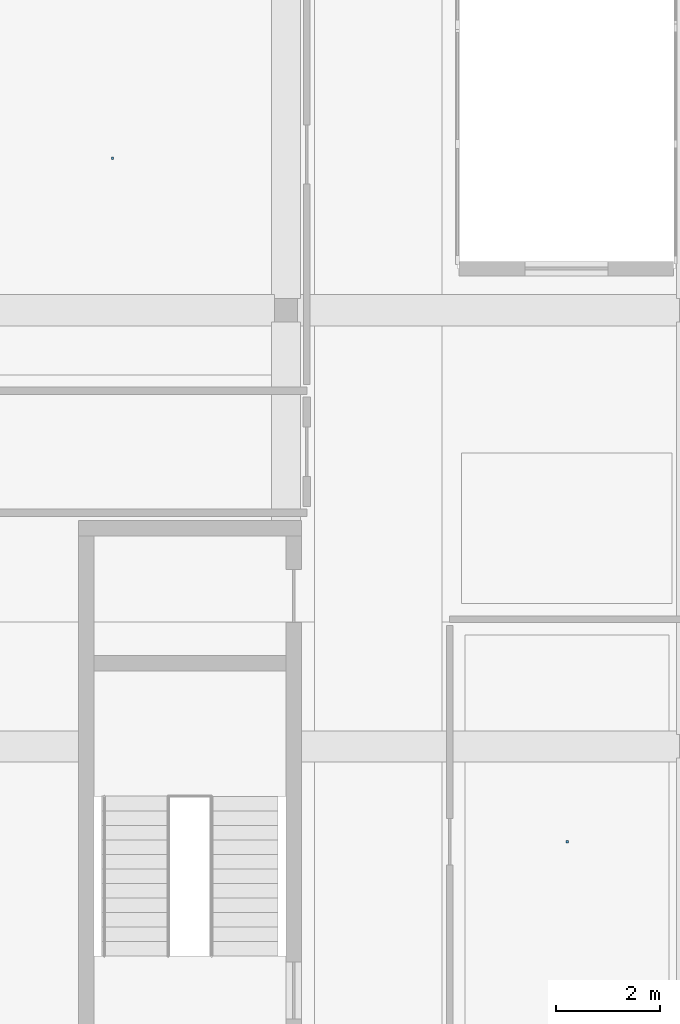
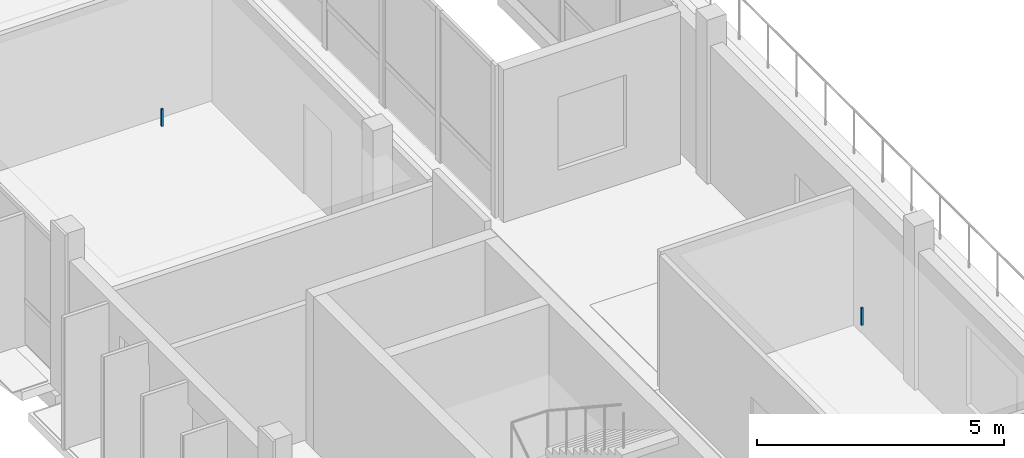
# One storey, part 32 of 48: 2 discrete accessories.
"""IFC4 building model written with IfcOpenShell, lengths in metres."""

from ifc_helpers import new_model, si_unit, derived_unit, direction, frame, origin, origin_2d, place, context, subcontext, project, spatial, rectangle, extrude, material, type_object, element, save


model = new_model("IFC4")

# Units and contexts
model_context = context("Model", 3, precision=1e-05, world=origin(), true_north=direction((0.0, 1.0)))
body_context = subcontext(model_context, "Body", "Model", "MODEL_VIEW")
ifc_project = project(units=[si_unit("LENGTHUNIT", "METRE"), si_unit("AREAUNIT", "SQUARE_METRE"), si_unit("VOLUMEUNIT", "CUBIC_METRE"), si_unit("PLANEANGLEUNIT", "RADIAN"), si_unit("MASSUNIT", "GRAM", prefix="KILO"), derived_unit("THERMALTRANSMITTANCEUNIT", [(si_unit("POWERUNIT", "WATT"), 1), (si_unit("LENGTHUNIT", "METRE"), -2), (si_unit("THERMODYNAMICTEMPERATUREUNIT", "KELVIN"), -1)])], contexts=[model_context])

# Site, building, storey
site_placement = place(None, origin())
site = spatial("IfcSite", under=ifc_project, at=site_placement, CompositionType="ELEMENT")
building_placement = place(site_placement, origin())
building = spatial("IfcBuilding", under=site, at=building_placement, Name="Braskholm Square Health Centre", CompositionType="ELEMENT")
storey_placement = place(building_placement, frame((0.0, 0.0, 17.550048828125)))
storey = spatial("IfcBuildingStorey", under=building, at=storey_placement, Name="L05", CompositionType="ELEMENT", Elevation=17.550048828125)

# Discrete accessories
ifc_material = material(Name="Steel ASTM A500 Grade C", Category="steel")
discrete_accessory_type = type_object("IfcDiscreteAccessoryType", Name="CeilingSuspensionBracket", PredefinedType="BRACKET", material=ifc_material)
for number, where, z_axis, x_axis, name in (
    (1, (8.06005859375, 66.72509765625, 3.35205078125), (0.0, 0.0, 1.0), (1.0, 0.0, 0.0), "Ceiling hanger bracket 0084"),
    (2, (16.81494140625, 53.56494140625, 3.35205078125), (0.0, 0.0, 1.0), (1.0, 0.0, 0.0), "Ceiling hanger bracket 0091"),
):
    element("IfcDiscreteAccessory", number, at=place(storey_placement, frame(where, z_axis=z_axis, x_axis=x_axis)), inside=storey, type_object=discrete_accessory_type, Name=name, PredefinedType="BRACKET", context=body_context, shape_type="SweptSolid", body=[
        extrude(rectangle(XDim=0.044921875, YDim=0.044921875, at=origin_2d()), origin(), (0.0, 0.0, 1.0), 0.429931640625),
    ])

save(model, "model.ifc")
